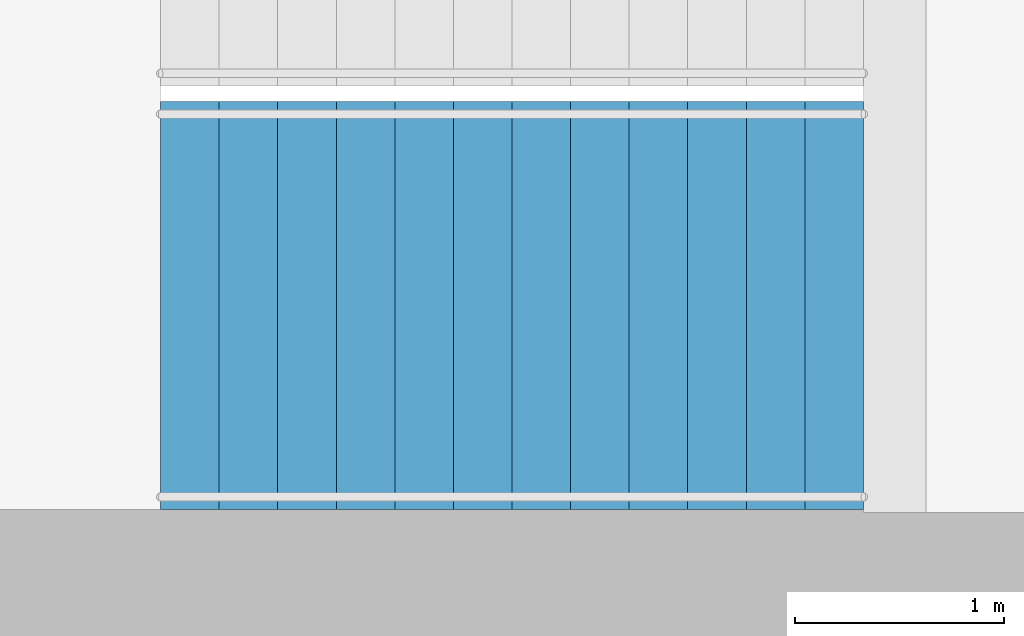
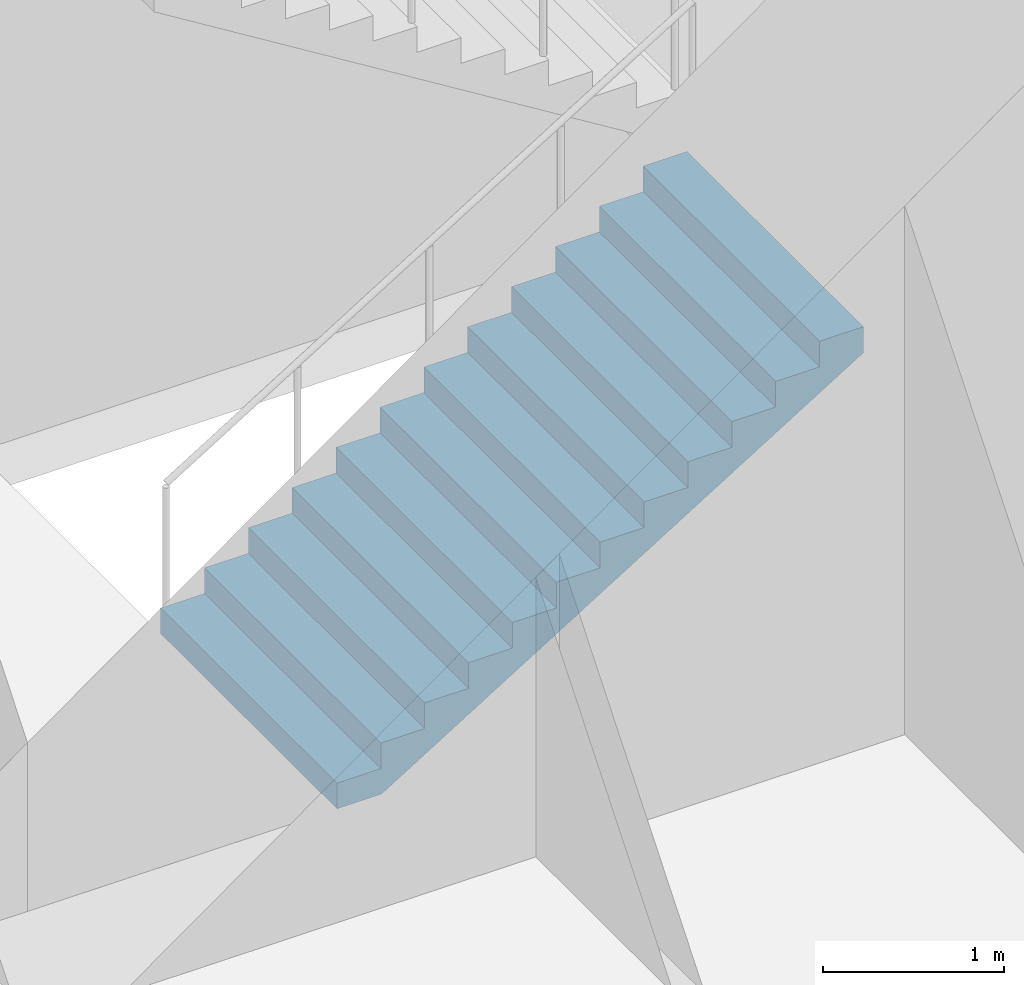
# One storey, part 18 of 31: 1 stair flight, 1 element without a shape of its own.
"""IFC4 building model written with IfcOpenShell, lengths in metres."""

from ifc_helpers import new_model, si_unit, direction, frame, origin, place, context, subcontext, project, spatial, triangles, material, type_object, element, aggregate, save


model = new_model("IFC4")

# Units and contexts
model_context = context("Model", 3, precision=1e-05, world=origin(), true_north=direction((0.0, 1.0)))
body_context = subcontext(model_context, "Body", "Model", "MODEL_VIEW")
ifc_project = project(units=[si_unit("LENGTHUNIT", "METRE"), si_unit("AREAUNIT", "SQUARE_METRE"), si_unit("VOLUMEUNIT", "CUBIC_METRE"), si_unit("PLANEANGLEUNIT", "RADIAN"), si_unit("MASSUNIT", "GRAM", prefix="KILO")], contexts=[model_context])

# Site, building, storey
site_placement = place(None, origin())
site = spatial("IfcSite", under=ifc_project, at=site_placement, CompositionType="ELEMENT")
building_placement = place(site_placement, origin())
building = spatial("IfcBuilding", under=site, at=building_placement, Name="Orbita Commons", CompositionType="ELEMENT")
storey_placement = place(building_placement, frame((0.0, 0.0, 76.14990234375)))
storey = spatial("IfcBuildingStorey", under=building, at=storey_placement, Name="L18", CompositionType="ELEMENT", Elevation=76.14990234375)

# Stair, stair flight
ifc_material_1 = material(Name="Precast concrete C40/50", Category="concrete")
stair_type = type_object("IfcStairType", Name="Exit stair S1 2 flights 13 risers 173", PredefinedType="HALF_TURN_STAIR", material=ifc_material_1)
stair_placement = place(storey_placement, origin())
stair = element("IfcStair", 1, at=stair_placement, inside=storey, type_object=stair_type, Name="Exit stair S1 L18", PredefinedType="HALF_TURN_STAIR")
ifc_material_2 = material(Name="Precast concrete C40/50", Category="concrete")
stair_flight_type = type_object("IfcStairFlightType", Name="Stair flight 13 risers 173 x 280", PredefinedType="STRAIGHT", material=ifc_material_2)
stair_flight_placement = place(storey_placement, frame((20.449951171875, 27.25, 0.0), z_axis=(0.0, 0.0, 1.0), x_axis=(1.0, 0.0, 0.0)))
stair_flight = element("IfcStairFlight", 2, at=stair_flight_placement, type_object=stair_flight_type, Name="S1 flight 1", NumberOfRisers=13, NumberOfTreads=12, PredefinedType="STRAIGHT", RiserHeight=0.173076923, TreadLength=0.28, context=body_context, shape_type="Tessellation", body=[
    triangles([(0.0, 0.974976, 0.0), (0.0, 0.974976, 0.021635), (0.0, 0.81248, 0.021635), (0.0, 0.81248, 0.0), (0.0, 0.649984, 0.021635), (0.0, 0.649984, 0.0), (0.0, 0.487488, 0.021635), (0.0, 0.487488, 0.0), (0.0, 0.324992, 0.021635), (0.0, 0.324992, 0.0), (0.0, 0.162496, 0.021635), (0.0, 0.162496, 0.0), (0.0, 0.0, 0.021635), (0.0, 0.0, 0.0), (0.0, -0.162496, 0.021635), (0.0, -0.162496, 0.0), (0.0, -0.324992, 0.021635), (0.0, -0.324992, 0.0), (0.0, -0.487488, 0.021635), (0.0, -0.487488, 0.0), (0.0, -0.649984, 0.021635), (0.0, -0.649984, 0.0), (0.0, -0.81248, 0.021635), (0.0, -0.81248, 0.0), (0.0, -0.974976, 0.021635), (0.0, -0.974976, 0.0), (0.0, 0.974976, 0.043269), (0.0, 0.81248, 0.043269), (0.0, 0.649984, 0.043269), (0.0, 0.487488, 0.043269), (0.0, 0.324992, 0.043269), (0.0, 0.162496, 0.043269), (0.0, 0.0, 0.043269), (0.0, -0.162496, 0.043269), (0.0, -0.324992, 0.043269), (0.0, -0.487488, 0.043269), (0.0, -0.649984, 0.043269), (0.0, -0.81248, 0.043269), (0.0, -0.974976, 0.043269), (0.0, 0.974976, 0.064904), (0.0, 0.81248, 0.064904), (0.0, 0.649984, 0.064904), (0.0, 0.487488, 0.064904), (0.0, 0.324992, 0.064904), (0.0, 0.162496, 0.064904), (0.0, 0.0, 0.064904), (0.0, -0.162496, 0.064904), (0.0, -0.324992, 0.064904), (0.0, -0.487488, 0.064904), (0.0, -0.649984, 0.064904), (0.0, -0.81248, 0.064904), (0.0, -0.974976, 0.064904), (0.0, 0.974976, 0.086538), (0.0, 0.81248, 0.086538), (0.0, 0.649984, 0.086538), (0.0, 0.487488, 0.086538), (0.0, 0.324992, 0.086538), (0.0, 0.162496, 0.086538), (0.0, 0.0, 0.086538), (0.0, -0.162496, 0.086538), (0.0, -0.324992, 0.086538), (0.0, -0.487488, 0.086538), (0.0, -0.649984, 0.086538), (0.0, -0.81248, 0.086538), (0.0, -0.974976, 0.086538), (0.0, 0.974976, 0.108173), (0.0, 0.81248, 0.108173), (0.0, 0.649984, 0.108173), (0.0, 0.487488, 0.108173), (0.0, 0.324992, 0.108173), (0.0, 0.162496, 0.108173), (0.0, 0.0, 0.108173), (0.0, -0.162496, 0.108173), (0.0, -0.324992, 0.108173), (0.0, -0.487488, 0.108173), (0.0, -0.649984, 0.108173), (0.0, -0.81248, 0.108173), (0.0, -0.974976, 0.108173), (0.0, 0.974976, 0.129808), (0.0, 0.81248, 0.129808), (0.0, 0.649984, 0.129808), (0.0, 0.487488, 0.129808), (0.0, 0.324992, 0.129808), (0.0, 0.162496, 0.129808), (0.0, 0.0, 0.129808), (0.0, -0.162496, 0.129808), (0.0, -0.324992, 0.129808), (0.0, -0.487488, 0.129808), (0.0, -0.649984, 0.129808), (0.0, -0.81248, 0.129808), (0.0, -0.974976, 0.129808), (0.0, 0.974976, 0.151442), (0.0, 0.81248, 0.151442), (0.0, 0.649984, 0.151442), (0.0, 0.487488, 0.151442), (0.0, 0.324992, 0.151442), (0.0, 0.162496, 0.151442), (0.0, 0.0, 0.151442), (0.0, -0.162496, 0.151442), (0.0, -0.324992, 0.151442), (0.0, -0.487488, 0.151442), (0.0, -0.649984, 0.151442), (0.0, -0.81248, 0.151442), (0.0, -0.974976, 0.151442), (0.0, 0.974976, 0.173077), (0.0, 0.81248, 0.173077), (0.0, 0.649984, 0.173077), (0.0, 0.487488, 0.173077), (0.0, 0.324992, 0.173077), (0.0, 0.162496, 0.173077), (0.0, 0.0, 0.173077), (0.0, -0.162496, 0.173077), (0.0, -0.324992, 0.173077), (0.0, -0.487488, 0.173077), (0.0, -0.649984, 0.173077), (0.0, -0.81248, 0.173077), (0.0, -0.974976, 0.173077), (0.28, 0.974976, 0.173077), (0.28, 0.81248, 0.173077), (0.28, 0.649984, 0.173077), (0.28, 0.487488, 0.173077), (0.28, 0.324992, 0.173077), (0.28, 0.162496, 0.173077), (0.28, 0.0, 0.173077), (0.28, -0.162496, 0.173077), (0.28, -0.324992, 0.173077), (0.28, -0.487488, 0.173077), (0.28, -0.649984, 0.173077), (0.28, -0.81248, 0.173077), (0.28, -0.974976, 0.173077), (0.28, 0.974976, 0.346154), (0.28, 0.81248, 0.346154), (0.28, 0.649984, 0.346154), (0.28, 0.487488, 0.346154), (0.28, 0.324992, 0.346154), (0.28, 0.162496, 0.346154), (0.28, 0.0, 0.346154), (0.28, -0.162496, 0.346154), (0.28, -0.324992, 0.346154), (0.28, -0.487488, 0.346154), (0.28, -0.649984, 0.346154), (0.28, -0.81248, 0.346154), (0.28, -0.974976, 0.346154), (0.56, 0.974976, 0.346154), (0.56, 0.81248, 0.346154), (0.56, 0.649984, 0.346154), (0.56, 0.487488, 0.346154), (0.56, 0.324992, 0.346154), (0.56, 0.162496, 0.346154), (0.56, 0.0, 0.346154), (0.56, -0.162496, 0.346154), (0.56, -0.324992, 0.346154), (0.56, -0.487488, 0.346154), (0.56, -0.649984, 0.346154), (0.56, -0.81248, 0.346154), (0.56, -0.974976, 0.346154), (0.56, 0.974976, 0.519231), (0.56, 0.81248, 0.519231), (0.56, 0.649984, 0.519231), (0.56, 0.487488, 0.519231), (0.56, 0.324992, 0.519231), (0.56, 0.162496, 0.519231), (0.56, 0.0, 0.519231), (0.56, -0.162496, 0.519231), (0.56, -0.324992, 0.519231), (0.56, -0.487488, 0.519231), (0.56, -0.649984, 0.519231), (0.56, -0.81248, 0.519231), (0.56, -0.974976, 0.519231), (0.84, 0.974976, 0.519231), (0.84, 0.81248, 0.519231), (0.84, 0.649984, 0.519231), (0.84, 0.487488, 0.519231), (0.84, 0.324992, 0.519231), (0.84, 0.162496, 0.519231), (0.84, 0.0, 0.519231), (0.84, -0.162496, 0.519231), (0.84, -0.324992, 0.519231), (0.84, -0.487488, 0.519231), (0.84, -0.649984, 0.519231), (0.84, -0.81248, 0.519231), (0.84, -0.974976, 0.519231), (0.84, 0.974976, 0.692308), (0.84, 0.81248, 0.692308), (0.84, 0.649984, 0.692308), (0.84, 0.487488, 0.692308), (0.84, 0.324992, 0.692308), (0.84, 0.162496, 0.692308), (0.84, 0.0, 0.692308), (0.84, -0.162496, 0.692308), (0.84, -0.324992, 0.692308), (0.84, -0.487488, 0.692308), (0.84, -0.649984, 0.692308), (0.84, -0.81248, 0.692308), (0.84, -0.974976, 0.692308), (1.12, 0.974976, 0.692308), (1.12, 0.81248, 0.692308), (1.12, 0.649984, 0.692308), (1.12, 0.487488, 0.692308), (1.12, 0.324992, 0.692308), (1.12, 0.162496, 0.692308), (1.12, 0.0, 0.692308), (1.12, -0.162496, 0.692308), (1.12, -0.324992, 0.692308), (1.12, -0.487488, 0.692308), (1.12, -0.649984, 0.692308), (1.12, -0.81248, 0.692308), (1.12, -0.974976, 0.692308), (1.12, 0.974976, 0.865385), (1.12, 0.81248, 0.865385), (1.12, 0.649984, 0.865385), (1.12, 0.487488, 0.865385), (1.12, 0.324992, 0.865385), (1.12, 0.162496, 0.865385), (1.12, 0.0, 0.865385), (1.12, -0.162496, 0.865385), (1.12, -0.324992, 0.865385), (1.12, -0.487488, 0.865385), (1.12, -0.649984, 0.865385), (1.12, -0.81248, 0.865385), (1.12, -0.974976, 0.865385), (1.4, 0.974976, 0.865385), (1.4, 0.81248, 0.865385), (1.4, 0.649984, 0.865385), (1.4, 0.487488, 0.865385), (1.4, 0.324992, 0.865385), (1.4, 0.162496, 0.865385), (1.4, 0.0, 0.865385), (1.4, -0.162496, 0.865385), (1.4, -0.324992, 0.865385), (1.4, -0.487488, 0.865385), (1.4, -0.649984, 0.865385), (1.4, -0.81248, 0.865385), (1.4, -0.974976, 0.865385), (1.4, 0.974976, 1.038462), (1.4, 0.81248, 1.038462), (1.4, 0.649984, 1.038462), (1.4, 0.487488, 1.038462), (1.4, 0.324992, 1.038462), (1.4, 0.162496, 1.038462), (1.4, 0.0, 1.038462), (1.4, -0.162496, 1.038462), (1.4, -0.324992, 1.038462), (1.4, -0.487488, 1.038462), (1.4, -0.649984, 1.038462), (1.4, -0.81248, 1.038462), (1.4, -0.974976, 1.038462), (1.68, 0.974976, 1.038462), (1.68, 0.81248, 1.038462), (1.68, 0.649984, 1.038462), (1.68, 0.487488, 1.038462), (1.68, 0.324992, 1.038462), (1.68, 0.162496, 1.038462), (1.68, 0.0, 1.038462), (1.68, -0.162496, 1.038462), (1.68, -0.324992, 1.038462), (1.68, -0.487488, 1.038462), (1.68, -0.649984, 1.038462), (1.68, -0.81248, 1.038462), (1.68, -0.974976, 1.038462), (1.68, 0.974976, 1.211538), (1.68, 0.81248, 1.211538), (1.68, 0.649984, 1.211538), (1.68, 0.487488, 1.211538), (1.68, 0.324992, 1.211538), (1.68, 0.162496, 1.211538), (1.68, 0.0, 1.211538), (1.68, -0.162496, 1.211538), (1.68, -0.324992, 1.211538), (1.68, -0.487488, 1.211538), (1.68, -0.649984, 1.211538), (1.68, -0.81248, 1.211538), (1.68, -0.974976, 1.211538), (1.96, 0.974976, 1.211538), (1.96, 0.81248, 1.211538), (1.96, 0.649984, 1.211538), (1.96, 0.487488, 1.211538), (1.96, 0.324992, 1.211538), (1.96, 0.162496, 1.211538), (1.96, 0.0, 1.211538), (1.96, -0.162496, 1.211538), (1.96, -0.324992, 1.211538), (1.96, -0.487488, 1.211538), (1.96, -0.649984, 1.211538), (1.96, -0.81248, 1.211538), (1.96, -0.974976, 1.211538), (1.96, 0.974976, 1.384615), (1.96, 0.81248, 1.384615), (1.96, 0.649984, 1.384615), (1.96, 0.487488, 1.384615), (1.96, 0.324992, 1.384615), (1.96, 0.162496, 1.384615), (1.96, 0.0, 1.384615), (1.96, -0.162496, 1.384615), (1.96, -0.324992, 1.384615), (1.96, -0.487488, 1.384615), (1.96, -0.649984, 1.384615), (1.96, -0.81248, 1.384615), (1.96, -0.974976, 1.384615), (2.24, 0.974976, 1.384615), (2.24, 0.81248, 1.384615), (2.24, 0.649984, 1.384615), (2.24, 0.487488, 1.384615), (2.24, 0.324992, 1.384615), (2.24, 0.162496, 1.384615), (2.24, 0.0, 1.384615), (2.24, -0.162496, 1.384615), (2.24, -0.324992, 1.384615), (2.24, -0.487488, 1.384615), (2.24, -0.649984, 1.384615), (2.24, -0.81248, 1.384615), (2.24, -0.974976, 1.384615), (2.24, 0.974976, 1.557692), (2.24, 0.81248, 1.557692), (2.24, 0.649984, 1.557692), (2.24, 0.487488, 1.557692), (2.24, 0.324992, 1.557692), (2.24, 0.162496, 1.557692), (2.24, 0.0, 1.557692), (2.24, -0.162496, 1.557692), (2.24, -0.324992, 1.557692), (2.24, -0.487488, 1.557692), (2.24, -0.649984, 1.557692), (2.24, -0.81248, 1.557692), (2.24, -0.974976, 1.557692), (2.52, 0.974976, 1.557692), (2.52, 0.81248, 1.557692), (2.52, 0.649984, 1.557692), (2.52, 0.487488, 1.557692), (2.52, 0.324992, 1.557692), (2.52, 0.162496, 1.557692), (2.52, 0.0, 1.557692), (2.52, -0.162496, 1.557692), (2.52, -0.324992, 1.557692), (2.52, -0.487488, 1.557692), (2.52, -0.649984, 1.557692), (2.52, -0.81248, 1.557692), (2.52, -0.974976, 1.557692), (2.52, 0.974976, 1.730769), (2.52, 0.81248, 1.730769), (2.52, 0.649984, 1.730769), (2.52, 0.487488, 1.730769), (2.52, 0.324992, 1.730769), (2.52, 0.162496, 1.730769), (2.52, 0.0, 1.730769), (2.52, -0.162496, 1.730769), (2.52, -0.324992, 1.730769), (2.52, -0.487488, 1.730769), (2.52, -0.649984, 1.730769), (2.52, -0.81248, 1.730769), (2.52, -0.974976, 1.730769), (2.8, 0.974976, 1.730769), (2.8, 0.81248, 1.730769), (2.8, 0.649984, 1.730769), (2.8, 0.487488, 1.730769), (2.8, 0.324992, 1.730769), (2.8, 0.162496, 1.730769), (2.8, 0.0, 1.730769), (2.8, -0.162496, 1.730769), (2.8, -0.324992, 1.730769), (2.8, -0.487488, 1.730769), (2.8, -0.649984, 1.730769), (2.8, -0.81248, 1.730769), (2.8, -0.974976, 1.730769), (2.8, 0.974976, 1.903846), (2.8, 0.81248, 1.903846), (2.8, 0.649984, 1.903846), (2.8, 0.487488, 1.903846), (2.8, 0.324992, 1.903846), (2.8, 0.162496, 1.903846), (2.8, 0.0, 1.903846), (2.8, -0.162496, 1.903846), (2.8, -0.324992, 1.903846), (2.8, -0.487488, 1.903846), (2.8, -0.649984, 1.903846), (2.8, -0.81248, 1.903846), (2.8, -0.974976, 1.903846), (3.08, 0.974976, 1.903846), (3.08, 0.81248, 1.903846), (3.08, 0.649984, 1.903846), (3.08, 0.487488, 1.903846), (3.08, 0.324992, 1.903846), (3.08, 0.162496, 1.903846), (3.08, 0.0, 1.903846), (3.08, -0.162496, 1.903846), (3.08, -0.324992, 1.903846), (3.08, -0.487488, 1.903846), (3.08, -0.649984, 1.903846), (3.08, -0.81248, 1.903846), (3.08, -0.974976, 1.903846), (3.08, 0.974976, 2.076923), (3.08, 0.81248, 2.076923), (3.08, 0.649984, 2.076923), (3.08, 0.487488, 2.076923), (3.08, 0.324992, 2.076923), (3.08, 0.162496, 2.076923), (3.08, 0.0, 2.076923), (3.08, -0.162496, 2.076923), (3.08, -0.324992, 2.076923), (3.08, -0.487488, 2.076923), (3.08, -0.649984, 2.076923), (3.08, -0.81248, 2.076923), (3.08, -0.974976, 2.076923), (3.36, 0.974976, 2.076923), (3.36, 0.81248, 2.076923), (3.36, 0.649984, 2.076923), (3.36, 0.487488, 2.076923), (3.36, 0.324992, 2.076923), (3.36, 0.162496, 2.076923), (3.36, 0.0, 2.076923), (3.36, -0.162496, 2.076923), (3.36, -0.324992, 2.076923), (3.36, -0.487488, 2.076923), (3.36, -0.649984, 2.076923), (3.36, -0.81248, 2.076923), (3.36, -0.974976, 2.076923), (3.36, 0.974976, 2.054895), (3.36, 0.81248, 2.054895), (3.36, 0.649984, 2.054895), (3.36, 0.487488, 2.054895), (3.36, 0.324992, 2.054895), (3.36, 0.162496, 2.054895), (3.36, 0.0, 2.054895), (3.36, -0.162496, 2.054895), (3.36, -0.324992, 2.054895), (3.36, -0.487488, 2.054895), (3.36, -0.649984, 2.054895), (3.36, -0.81248, 2.054895), (3.36, -0.974976, 2.054895), (3.36, 0.974976, 2.032866), (3.36, 0.81248, 2.032866), (3.36, 0.649984, 2.032866), (3.36, 0.487488, 2.032866), (3.36, 0.324992, 2.032866), (3.36, 0.162496, 2.032866), (3.36, 0.0, 2.032866), (3.36, -0.162496, 2.032866), (3.36, -0.324992, 2.032866), (3.36, -0.487488, 2.032866), (3.36, -0.649984, 2.032866), (3.36, -0.81248, 2.032866), (3.36, -0.974976, 2.032866), (3.36, 0.974976, 2.010837), (3.36, 0.81248, 2.010837), (3.36, 0.649984, 2.010837), (3.36, 0.487488, 2.010837), (3.36, 0.324992, 2.010837), (3.36, 0.162496, 2.010837), (3.36, 0.0, 2.010837), (3.36, -0.162496, 2.010837), (3.36, -0.324992, 2.010837), (3.36, -0.487488, 2.010837), (3.36, -0.649984, 2.010837), (3.36, -0.81248, 2.010837), (3.36, -0.974976, 2.010837), (3.36, 0.974976, 1.988809), (3.36, 0.81248, 1.988809), (3.36, 0.649984, 1.988809), (3.36, 0.487488, 1.988809), (3.36, 0.324992, 1.988809), (3.36, 0.162496, 1.988809), (3.36, 0.0, 1.988809), (3.36, -0.162496, 1.988809), (3.36, -0.324992, 1.988809), (3.36, -0.487488, 1.988809), (3.36, -0.649984, 1.988809), (3.36, -0.81248, 1.988809), (3.36, -0.974976, 1.988809), (3.36, 0.974976, 1.96678), (3.36, 0.81248, 1.96678), (3.36, 0.649984, 1.96678), (3.36, 0.487488, 1.96678), (3.36, 0.324992, 1.96678), (3.36, 0.162496, 1.96678), (3.36, 0.0, 1.96678), (3.36, -0.162496, 1.96678), (3.36, -0.324992, 1.96678), (3.36, -0.487488, 1.96678), (3.36, -0.649984, 1.96678), (3.36, -0.81248, 1.96678), (3.36, -0.974976, 1.96678), (3.36, 0.974976, 1.944752), (3.36, 0.81248, 1.944752), (3.36, 0.649984, 1.944752), (3.36, 0.487488, 1.944752), (3.36, 0.324992, 1.944752), (3.36, 0.162496, 1.944752), (3.36, 0.0, 1.944752), (3.36, -0.162496, 1.944752), (3.36, -0.324992, 1.944752), (3.36, -0.487488, 1.944752), (3.36, -0.649984, 1.944752), (3.36, -0.81248, 1.944752), (3.36, -0.974976, 1.944752), (3.36, 0.974976, 1.922723), (3.36, 0.81248, 1.922723), (3.36, 0.649984, 1.922723), (3.36, 0.487488, 1.922723), (3.36, 0.324992, 1.922723), (3.36, 0.162496, 1.922723), (3.36, 0.0, 1.922723), (3.36, -0.162496, 1.922723), (3.36, -0.324992, 1.922723), (3.36, -0.487488, 1.922723), (3.36, -0.649984, 1.922723), (3.36, -0.81248, 1.922723), (3.36, -0.974976, 1.922723), (3.36, 0.974976, 1.900695), (3.36, 0.81248, 1.900695), (3.36, 0.649984, 1.900695), (3.36, 0.487488, 1.900695), (3.36, 0.324992, 1.900695), (3.36, 0.162496, 1.900695), (3.36, 0.0, 1.900695), (3.36, -0.162496, 1.900695), (3.36, -0.324992, 1.900695), (3.36, -0.487488, 1.900695), (3.36, -0.649984, 1.900695), (3.36, -0.81248, 1.900695), (3.36, -0.974976, 1.900695), (0.285099, 0.974976, 0.0), (0.285099, 0.81248, 0.0), (0.285099, 0.649984, 0.0), (0.285099, 0.487488, 0.0), (0.285099, 0.324992, 0.0), (0.285099, 0.162496, 0.0), (0.285099, 0.0, 0.0), (0.285099, -0.162496, 0.0), (0.285099, -0.324992, 0.0), (0.285099, -0.487488, 0.0), (0.285099, -0.649984, 0.0), (0.285099, -0.81248, 0.0), (0.285099, -0.974976, 0.0)], [[3, 2, 1], [4, 3, 1], [5, 3, 4], [6, 5, 4], [7, 5, 6], [8, 7, 6], [9, 7, 8], [10, 9, 8], [11, 9, 10], [12, 11, 10], [13, 11, 12], [14, 13, 12], [15, 13, 14], [16, 15, 14], [17, 15, 16], [18, 17, 16], [19, 17, 18], [20, 19, 18], [21, 19, 20], [22, 21, 20], [23, 21, 22], [24, 23, 22], [25, 23, 24], [26, 25, 24], [28, 27, 2], [3, 28, 2], [29, 28, 3], [5, 29, 3], [30, 29, 5], [7, 30, 5], [31, 30, 7], [9, 31, 7], [32, 31, 9], [11, 32, 9], [33, 32, 11], [13, 33, 11], [34, 33, 13], [15, 34, 13], [35, 34, 15], [17, 35, 15], [36, 35, 17], [19, 36, 17], [37, 36, 19], [21, 37, 19], [38, 37, 21], [23, 38, 21], [39, 38, 23], [25, 39, 23], [41, 40, 27], [28, 41, 27], [42, 41, 28], [29, 42, 28], [43, 42, 29], [30, 43, 29], [44, 43, 30], [31, 44, 30], [45, 44, 31], [32, 45, 31], [46, 45, 32], [33, 46, 32], [47, 46, 33], [34, 47, 33], [48, 47, 34], [35, 48, 34], [49, 48, 35], [36, 49, 35], [50, 49, 36], [37, 50, 36], [51, 50, 37], [38, 51, 37], [52, 51, 38], [39, 52, 38], [54, 53, 40], [41, 54, 40], [55, 54, 41], [42, 55, 41], [56, 55, 42], [43, 56, 42], [57, 56, 43], [44, 57, 43], [58, 57, 44], [45, 58, 44], [59, 58, 45], [46, 59, 45], [60, 59, 46], [47, 60, 46], [61, 60, 47], [48, 61, 47], [62, 61, 48], [49, 62, 48], [63, 62, 49], [50, 63, 49], [64, 63, 50], [51, 64, 50], [65, 64, 51], [52, 65, 51], [67, 66, 53], [54, 67, 53], [68, 67, 54], [55, 68, 54], [69, 68, 55], [56, 69, 55], [70, 69, 56], [57, 70, 56], [71, 70, 57], [58, 71, 57], [72, 71, 58], [59, 72, 58], [73, 72, 59], [60, 73, 59], [74, 73, 60], [61, 74, 60], [75, 74, 61], [62, 75, 61], [76, 75, 62], [63, 76, 62], [77, 76, 63], [64, 77, 63], [78, 77, 64], [65, 78, 64], [80, 79, 66], [67, 80, 66], [81, 80, 67], [68, 81, 67], [82, 81, 68], [69, 82, 68], [83, 82, 69], [70, 83, 69], [84, 83, 70], [71, 84, 70], [85, 84, 71], [72, 85, 71], [86, 85, 72], [73, 86, 72], [87, 86, 73], [74, 87, 73], [88, 87, 74], [75, 88, 74], [89, 88, 75], [76, 89, 75], [90, 89, 76], [77, 90, 76], [91, 90, 77], [78, 91, 77], [93, 92, 79], [80, 93, 79], [94, 93, 80], [81, 94, 80], [95, 94, 81], [82, 95, 81], [96, 95, 82], [83, 96, 82], [97, 96, 83], [84, 97, 83], [98, 97, 84], [85, 98, 84], [99, 98, 85], [86, 99, 85], [100, 99, 86], [87, 100, 86], [101, 100, 87], [88, 101, 87], [102, 101, 88], [89, 102, 88], [103, 102, 89], [90, 103, 89], [104, 103, 90], [91, 104, 90], [106, 105, 92], [93, 106, 92], [107, 106, 93], [94, 107, 93], [108, 107, 94], [95, 108, 94], [109, 108, 95], [96, 109, 95], [110, 109, 96], [97, 110, 96], [111, 110, 97], [98, 111, 97], [112, 111, 98], [99, 112, 98], [113, 112, 99], [100, 113, 99], [114, 113, 100], [101, 114, 100], [115, 114, 101], [102, 115, 101], [116, 115, 102], [103, 116, 102], [117, 116, 103], [104, 117, 103], [119, 118, 105], [106, 119, 105], [120, 119, 106], [107, 120, 106], [121, 120, 107], [108, 121, 107], [122, 121, 108], [109, 122, 108], [123, 122, 109], [110, 123, 109], [124, 123, 110], [111, 124, 110], [125, 124, 111], [112, 125, 111], [126, 125, 112], [113, 126, 112], [127, 126, 113], [114, 127, 113], [128, 127, 114], [115, 128, 114], [129, 128, 115], [116, 129, 115], [130, 129, 116], [117, 130, 116], [132, 131, 118], [119, 132, 118], [133, 132, 119], [120, 133, 119], [134, 133, 120], [121, 134, 120], [135, 134, 121], [122, 135, 121], [136, 135, 122], [123, 136, 122], [137, 136, 123], [124, 137, 123], [138, 137, 124], [125, 138, 124], [139, 138, 125], [126, 139, 125], [140, 139, 126], [127, 140, 126], [141, 140, 127], [128, 141, 127], [142, 141, 128], [129, 142, 128], [143, 142, 129], [130, 143, 129], [145, 144, 131], [132, 145, 131], [146, 145, 132], [133, 146, 132], [147, 146, 133], [134, 147, 133], [148, 147, 134], [135, 148, 134], [149, 148, 135], [136, 149, 135], [150, 149, 136], [137, 150, 136], [151, 150, 137], [138, 151, 137], [152, 151, 138], [139, 152, 138], [153, 152, 139], [140, 153, 139], [154, 153, 140], [141, 154, 140], [155, 154, 141], [142, 155, 141], [156, 155, 142], [143, 156, 142], [158, 157, 144], [145, 158, 144], [159, 158, 145], [146, 159, 145], [160, 159, 146], [147, 160, 146], [161, 160, 147], [148, 161, 147], [162, 161, 148], [149, 162, 148], [163, 162, 149], [150, 163, 149], [164, 163, 150], [151, 164, 150], [165, 164, 151], [152, 165, 151], [166, 165, 152], [153, 166, 152], [167, 166, 153], [154, 167, 153], [168, 167, 154], [155, 168, 154], [169, 168, 155], [156, 169, 155], [171, 170, 157], [158, 171, 157], [172, 171, 158], [159, 172, 158], [173, 172, 159], [160, 173, 159], [174, 173, 160], [161, 174, 160], [175, 174, 161], [162, 175, 161], [176, 175, 162], [163, 176, 162], [177, 176, 163], [164, 177, 163], [178, 177, 164], [165, 178, 164], [179, 178, 165], [166, 179, 165], [180, 179, 166], [167, 180, 166], [181, 180, 167], [168, 181, 167], [182, 181, 168], [169, 182, 168], [184, 183, 170], [171, 184, 170], [185, 184, 171], [172, 185, 171], [186, 185, 172], [173, 186, 172], [187, 186, 173], [174, 187, 173], [188, 187, 174], [175, 188, 174], [189, 188, 175], [176, 189, 175], [190, 189, 176], [177, 190, 176], [191, 190, 177], [178, 191, 177], [192, 191, 178], [179, 192, 178], [193, 192, 179], [180, 193, 179], [194, 193, 180], [181, 194, 180], [195, 194, 181], [182, 195, 181], [197, 196, 183], [184, 197, 183], [198, 197, 184], [185, 198, 184], [199, 198, 185], [186, 199, 185], [200, 199, 186], [187, 200, 186], [201, 200, 187], [188, 201, 187], [202, 201, 188], [189, 202, 188], [203, 202, 189], [190, 203, 189], [204, 203, 190], [191, 204, 190], [205, 204, 191], [192, 205, 191], [206, 205, 192], [193, 206, 192], [207, 206, 193], [194, 207, 193], [208, 207, 194], [195, 208, 194], [210, 209, 196], [197, 210, 196], [211, 210, 197], [198, 211, 197], [212, 211, 198], [199, 212, 198], [213, 212, 199], [200, 213, 199], [214, 213, 200], [201, 214, 200], [215, 214, 201], [202, 215, 201], [216, 215, 202], [203, 216, 202], [217, 216, 203], [204, 217, 203], [218, 217, 204], [205, 218, 204], [219, 218, 205], [206, 219, 205], [220, 219, 206], [207, 220, 206], [221, 220, 207], [208, 221, 207], [223, 222, 209], [210, 223, 209], [224, 223, 210], [211, 224, 210], [225, 224, 211], [212, 225, 211], [226, 225, 212], [213, 226, 212], [227, 226, 213], [214, 227, 213], [228, 227, 214], [215, 228, 214], [229, 228, 215], [216, 229, 215], [230, 229, 216], [217, 230, 216], [231, 230, 217], [218, 231, 217], [232, 231, 218], [219, 232, 218], [233, 232, 219], [220, 233, 219], [234, 233, 220], [221, 234, 220], [236, 235, 222], [223, 236, 222], [237, 236, 223], [224, 237, 223], [238, 237, 224], [225, 238, 224], [239, 238, 225], [226, 239, 225], [240, 239, 226], [227, 240, 226], [241, 240, 227], [228, 241, 227], [242, 241, 228], [229, 242, 228], [243, 242, 229], [230, 243, 229], [244, 243, 230], [231, 244, 230], [245, 244, 231], [232, 245, 231], [246, 245, 232], [233, 246, 232], [247, 246, 233], [234, 247, 233], [249, 248, 235], [236, 249, 235], [250, 249, 236], [237, 250, 236], [251, 250, 237], [238, 251, 237], [252, 251, 238], [239, 252, 238], [253, 252, 239], [240, 253, 239], [254, 253, 240], [241, 254, 240], [255, 254, 241], [242, 255, 241], [256, 255, 242], [243, 256, 242], [257, 256, 243], [244, 257, 243], [258, 257, 244], [245, 258, 244], [259, 258, 245], [246, 259, 245], [260, 259, 246], [247, 260, 246], [262, 261, 248], [249, 262, 248], [263, 262, 249], [250, 263, 249], [264, 263, 250], [251, 264, 250], [265, 264, 251], [252, 265, 251], [266, 265, 252], [253, 266, 252], [267, 266, 253], [254, 267, 253], [268, 267, 254], [255, 268, 254], [269, 268, 255], [256, 269, 255], [270, 269, 256], [257, 270, 256], [271, 270, 257], [258, 271, 257], [272, 271, 258], [259, 272, 258], [273, 272, 259], [260, 273, 259], [275, 274, 261], [262, 275, 261], [276, 275, 262], [263, 276, 262], [277, 276, 263], [264, 277, 263], [278, 277, 264], [265, 278, 264], [279, 278, 265], [266, 279, 265], [280, 279, 266], [267, 280, 266], [281, 280, 267], [268, 281, 267], [282, 281, 268], [269, 282, 268], [283, 282, 269], [270, 283, 269], [284, 283, 270], [271, 284, 270], [285, 284, 271], [272, 285, 271], [286, 285, 272], [273, 286, 272], [288, 287, 274], [275, 288, 274], [289, 288, 275], [276, 289, 275], [290, 289, 276], [277, 290, 276], [291, 290, 277], [278, 291, 277], [292, 291, 278], [279, 292, 278], [293, 292, 279], [280, 293, 279], [294, 293, 280], [281, 294, 280], [295, 294, 281], [282, 295, 281], [296, 295, 282], [283, 296, 282], [297, 296, 283], [284, 297, 283], [298, 297, 284], [285, 298, 284], [299, 298, 285], [286, 299, 285], [301, 300, 287], [288, 301, 287], [302, 301, 288], [289, 302, 288], [303, 302, 289], [290, 303, 289], [304, 303, 290], [291, 304, 290], [305, 304, 291], [292, 305, 291], [306, 305, 292], [293, 306, 292], [307, 306, 293], [294, 307, 293], [308, 307, 294], [295, 308, 294], [309, 308, 295], [296, 309, 295], [310, 309, 296], [297, 310, 296], [311, 310, 297], [298, 311, 297], [312, 311, 298], [299, 312, 298], [314, 313, 300], [301, 314, 300], [315, 314, 301], [302, 315, 301], [316, 315, 302], [303, 316, 302], [317, 316, 303], [304, 317, 303], [318, 317, 304], [305, 318, 304], [319, 318, 305], [306, 319, 305], [320, 319, 306], [307, 320, 306], [321, 320, 307], [308, 321, 307], [322, 321, 308], [309, 322, 308], [323, 322, 309], [310, 323, 309], [324, 323, 310], [311, 324, 310], [325, 324, 311], [312, 325, 311], [327, 326, 313], [314, 327, 313], [328, 327, 314], [315, 328, 314], [329, 328, 315], [316, 329, 315], [330, 329, 316], [317, 330, 316], [331, 330, 317], [318, 331, 317], [332, 331, 318], [319, 332, 318], [333, 332, 319], [320, 333, 319], [334, 333, 320], [321, 334, 320], [335, 334, 321], [322, 335, 321], [336, 335, 322], [323, 336, 322], [337, 336, 323], [324, 337, 323], [338, 337, 324], [325, 338, 324], [340, 339, 326], [327, 340, 326], [341, 340, 327], [328, 341, 327], [342, 341, 328], [329, 342, 328], [343, 342, 329], [330, 343, 329], [344, 343, 330], [331, 344, 330], [345, 344, 331], [332, 345, 331], [346, 345, 332], [333, 346, 332], [347, 346, 333], [334, 347, 333], [348, 347, 334], [335, 348, 334], [349, 348, 335], [336, 349, 335], [350, 349, 336], [337, 350, 336], [351, 350, 337], [338, 351, 337], [353, 352, 339], [340, 353, 339], [354, 353, 340], [341, 354, 340], [355, 354, 341], [342, 355, 341], [356, 355, 342], [343, 356, 342], [357, 356, 343], [344, 357, 343], [358, 357, 344], [345, 358, 344], [359, 358, 345], [346, 359, 345], [360, 359, 346], [347, 360, 346], [361, 360, 347], [348, 361, 347], [362, 361, 348], [349, 362, 348], [363, 362, 349], [350, 363, 349], [364, 363, 350], [351, 364, 350], [366, 365, 352], [353, 366, 352], [367, 366, 353], [354, 367, 353], [368, 367, 354], [355, 368, 354], [369, 368, 355], [356, 369, 355], [370, 369, 356], [357, 370, 356], [371, 370, 357], [358, 371, 357], [372, 371, 358], [359, 372, 358], [373, 372, 359], [360, 373, 359], [374, 373, 360], [361, 374, 360], [375, 374, 361], [362, 375, 361], [376, 375, 362], [363, 376, 362], [377, 376, 363], [364, 377, 363], [379, 378, 365], [366, 379, 365], [380, 379, 366], [367, 380, 366], [381, 380, 367], [368, 381, 367], [382, 381, 368], [369, 382, 368], [383, 382, 369], [370, 383, 369], [384, 383, 370], [371, 384, 370], [385, 384, 371], [372, 385, 371], [386, 385, 372], [373, 386, 372], [387, 386, 373], [374, 387, 373], [388, 387, 374], [375, 388, 374], [389, 388, 375], [376, 389, 375], [390, 389, 376], [377, 390, 376], [392, 391, 378], [379, 392, 378], [393, 392, 379], [380, 393, 379], [394, 393, 380], [381, 394, 380], [395, 394, 381], [382, 395, 381], [396, 395, 382], [383, 396, 382], [397, 396, 383], [384, 397, 383], [398, 397, 384], [385, 398, 384], [399, 398, 385], [386, 399, 385], [400, 399, 386], [387, 400, 386], [401, 400, 387], [388, 401, 387], [402, 401, 388], [389, 402, 388], [403, 402, 389], [390, 403, 389], [405, 404, 391], [392, 405, 391], [406, 405, 392], [393, 406, 392], [407, 406, 393], [394, 407, 393], [408, 407, 394], [395, 408, 394], [409, 408, 395], [396, 409, 395], [410, 409, 396], [397, 410, 396], [411, 410, 397], [398, 411, 397], [412, 411, 398], [399, 412, 398], [413, 412, 399], [400, 413, 399], [414, 413, 400], [401, 414, 400], [415, 414, 401], [402, 415, 401], [416, 415, 402], [403, 416, 402], [418, 417, 404], [405, 418, 404], [419, 418, 405], [406, 419, 405], [420, 419, 406], [407, 420, 406], [421, 420, 407], [408, 421, 407], [422, 421, 408], [409, 422, 408], [423, 422, 409], [410, 423, 409], [424, 423, 410], [411, 424, 410], [425, 424, 411], [412, 425, 411], [426, 425, 412], [413, 426, 412], [427, 426, 413], [414, 427, 413], [428, 427, 414], [415, 428, 414], [429, 428, 415], [416, 429, 415], [431, 430, 417], [418, 431, 417], [432, 431, 418], [419, 432, 418], [433, 432, 419], [420, 433, 419], [434, 433, 420], [421, 434, 420], [435, 434, 421], [422, 435, 421], [436, 435, 422], [423, 436, 422], [437, 436, 423], [424, 437, 423], [438, 437, 424], [425, 438, 424], [439, 438, 425], [426, 439, 425], [440, 439, 426], [427, 440, 426], [441, 440, 427], [428, 441, 427], [442, 441, 428], [429, 442, 428], [444, 443, 430], [431, 444, 430], [445, 444, 431], [432, 445, 431], [446, 445, 432], [433, 446, 432], [447, 446, 433], [434, 447, 433], [448, 447, 434], [435, 448, 434], [449, 448, 435], [436, 449, 435], [450, 449, 436], [437, 450, 436], [451, 450, 437], [438, 451, 437], [452, 451, 438], [439, 452, 438], [453, 452, 439], [440, 453, 439], [454, 453, 440], [441, 454, 440], [455, 454, 441], [442, 455, 441], [457, 456, 443], [444, 457, 443], [458, 457, 444], [445, 458, 444], [459, 458, 445], [446, 459, 445], [460, 459, 446], [447, 460, 446], [461, 460, 447], [448, 461, 447], [462, 461, 448], [449, 462, 448], [463, 462, 449], [450, 463, 449], [464, 463, 450], [451, 464, 450], [465, 464, 451], [452, 465, 451], [466, 465, 452], [453, 466, 452], [467, 466, 453], [454, 467, 453], [468, 467, 454], [455, 468, 454], [470, 469, 456], [457, 470, 456], [471, 470, 457], [458, 471, 457], [472, 471, 458], [459, 472, 458], [473, 472, 459], [460, 473, 459], [474, 473, 460], [461, 474, 460], [475, 474, 461], [462, 475, 461], [476, 475, 462], [463, 476, 462], [477, 476, 463], [464, 477, 463], [478, 477, 464], [465, 478, 464], [479, 478, 465], [466, 479, 465], [480, 479, 466], [467, 480, 466], [481, 480, 467], [468, 481, 467], [483, 482, 469], [470, 483, 469], [484, 483, 470], [471, 484, 470], [485, 484, 471], [472, 485, 471], [486, 485, 472], [473, 486, 472], [487, 486, 473], [474, 487, 473], [488, 487, 474], [475, 488, 474], [489, 488, 475], [476, 489, 475], [490, 489, 476], [477, 490, 476], [491, 490, 477], [478, 491, 477], [492, 491, 478], [479, 492, 478], [493, 492, 479], [480, 493, 479], [494, 493, 480], [481, 494, 480], [496, 495, 482], [483, 496, 482], [497, 496, 483], [484, 497, 483], [498, 497, 484], [485, 498, 484], [499, 498, 485], [486, 499, 485], [500, 499, 486], [487, 500, 486], [501, 500, 487], [488, 501, 487], [502, 501, 488], [489, 502, 488], [503, 502, 489], [490, 503, 489], [504, 503, 490], [491, 504, 490], [505, 504, 491], [492, 505, 491], [506, 505, 492], [493, 506, 492], [507, 506, 493], [494, 507, 493], [509, 508, 495], [496, 509, 495], [510, 509, 496], [497, 510, 496], [511, 510, 497], [498, 511, 497], [512, 511, 498], [499, 512, 498], [513, 512, 499], [500, 513, 499], [514, 513, 500], [501, 514, 500], [515, 514, 501], [502, 515, 501], [516, 515, 502], [503, 516, 502], [517, 516, 503], [504, 517, 503], [518, 517, 504], [505, 518, 504], [519, 518, 505], [506, 519, 505], [520, 519, 506], [507, 520, 506], [522, 521, 508], [509, 522, 508], [523, 522, 509], [510, 523, 509], [524, 523, 510], [511, 524, 510], [525, 524, 511], [512, 525, 511], [526, 525, 512], [513, 526, 512], [527, 526, 513], [514, 527, 513], [528, 527, 514], [515, 528, 514], [529, 528, 515], [516, 529, 515], [530, 529, 516], [517, 530, 516], [531, 530, 517], [518, 531, 517], [532, 531, 518], [519, 532, 518], [533, 532, 519], [520, 533, 519], [4, 1, 521], [522, 4, 521], [6, 4, 522], [523, 6, 522], [8, 6, 523], [524, 8, 523], [10, 8, 524], [525, 10, 524], [12, 10, 525], [526, 12, 525], [14, 12, 526], [527, 14, 526], [16, 14, 527], [528, 16, 527], [18, 16, 528], [529, 18, 528], [20, 18, 529], [530, 20, 529], [22, 20, 530], [531, 22, 530], [24, 22, 531], [532, 24, 531], [26, 24, 532], [533, 26, 532], [508, 521, 1], [26, 533, 520], [495, 508, 1], [26, 520, 507], [482, 495, 1], [26, 507, 494], [469, 482, 1], [26, 494, 481], [456, 469, 1], [26, 481, 468], [443, 456, 1], [26, 468, 455], [430, 443, 1], [26, 455, 442], [417, 430, 1], [26, 442, 429], [391, 404, 417], [429, 416, 403], [378, 391, 417], [429, 403, 390], [352, 365, 378], [390, 377, 364], [352, 378, 417], [429, 390, 364], [326, 339, 352], [364, 351, 338], [326, 352, 417], [429, 364, 338], [300, 313, 326], [338, 325, 312], [300, 326, 417], [429, 338, 312], [274, 287, 300], [312, 299, 286], [274, 300, 417], [429, 312, 286], [248, 261, 274], [286, 273, 260], [248, 274, 417], [429, 286, 260], [222, 235, 248], [260, 247, 234], [222, 248, 417], [429, 260, 234], [196, 209, 222], [234, 221, 208], [196, 222, 417], [429, 234, 208], [170, 183, 196], [208, 195, 182], [170, 196, 417], [429, 208, 182], [144, 157, 170], [182, 169, 156], [144, 170, 417], [429, 182, 156], [118, 131, 144], [156, 143, 130], [118, 144, 417], [429, 156, 130], [118, 417, 1], [26, 429, 130], [92, 105, 118], [130, 117, 104], [79, 92, 118], [130, 104, 91], [66, 79, 118], [130, 91, 78], [53, 66, 118], [130, 78, 65], [40, 53, 118], [130, 65, 52], [27, 40, 118], [130, 52, 39], [2, 27, 118], [130, 39, 25], [1, 2, 118], [130, 25, 26]], closed=True),
])
aggregate(stair, [stair_flight])

save(model, "model.ifc")
